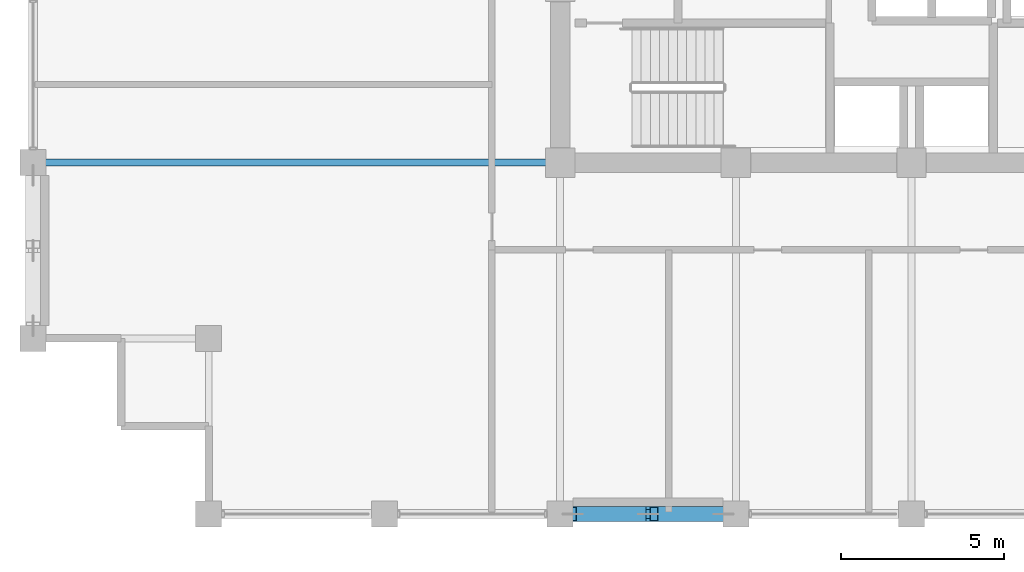
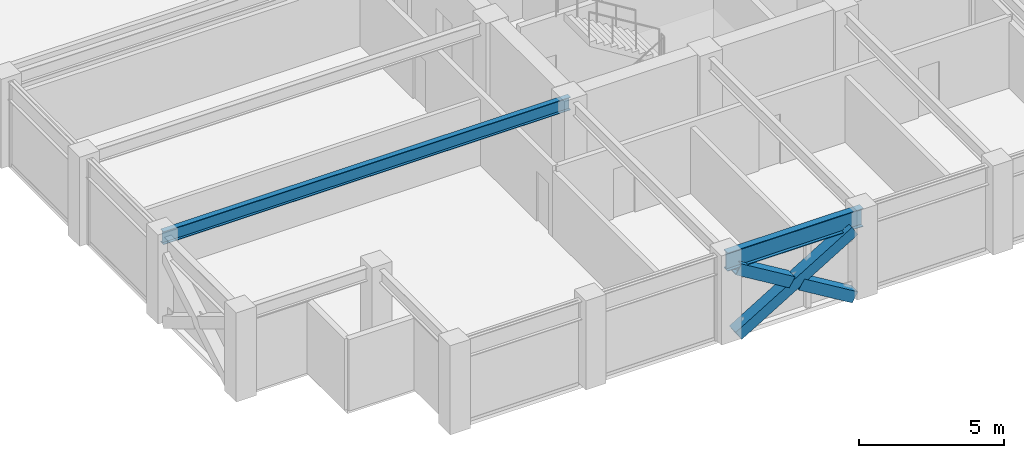
# One storey, part 5 of 32: 3 members, 2 beams.
"""IFC4 building model written with IfcOpenShell, lengths in metres."""

from ifc_helpers import new_model, si_unit, direction, frame, origin, origin_2d, place, context, subcontext, project, spatial, hollow_rectangle, i_section, extrude, material, material_profile, profile_set, type_object, element, save


model = new_model("IFC4")

# Units and contexts
model_context = context("Model", 3, precision=1e-05, world=origin(), true_north=direction((0.0, 1.0)))
body_context = subcontext(model_context, "Body", "Model", "MODEL_VIEW")
ifc_project = project(units=[si_unit("LENGTHUNIT", "METRE"), si_unit("AREAUNIT", "SQUARE_METRE"), si_unit("VOLUMEUNIT", "CUBIC_METRE"), si_unit("PLANEANGLEUNIT", "RADIAN"), si_unit("MASSUNIT", "GRAM", prefix="KILO")], contexts=[model_context])

# Site, building, storey
site_placement = place(None, origin())
site = spatial("IfcSite", under=ifc_project, at=site_placement, CompositionType="ELEMENT")
building_placement = place(site_placement, origin())
building = spatial("IfcBuilding", under=site, at=building_placement, Name="Surkhivell Harbour Commons", CompositionType="ELEMENT")
storey_placement = place(building_placement, frame((0.0, 0.0, 219.75)))
storey = spatial("IfcBuildingStorey", under=building, at=storey_placement, Name="L57", CompositionType="ELEMENT", Elevation=219.75)

# Beams
ifc_material_1 = material(Name="Steel S355", Category="steel")
ifc_material_profile_1 = material_profile(ifc_material_1, i_section(OverallWidth=0.2119140625, OverallDepth=0.5439453125, WebThickness=0.0126953125, FlangeThickness=0.021240234375, at=origin_2d()), Name="UB533x210x122")
ifc_profile_set_1 = profile_set([ifc_material_profile_1], Name="Steel S355")
beam_type_1 = type_object("IfcBeamType", Name="BM-GRD-533A", PredefinedType="BEAM", material=ifc_profile_set_1)
beam_1_placement = place(storey_placement, frame((-27.0, -10.800048828125, 3.298095703125), z_axis=(1.0, 0.0, 0.0), x_axis=(0.0, 1.0, 0.0)))
element("IfcBeam", 1, at=beam_1_placement, inside=storey, type_object=beam_type_1, Name="L57 Floor Girder (-27.0,-10.8)", PredefinedType="BEAM", context=body_context, shape_type="SweptSolid", body=[
    extrude(i_section(OverallWidth=0.2119140625, OverallDepth=0.5439453125, WebThickness=0.0126953125, FlangeThickness=0.021240234375, at=origin_2d()), origin(), (0.0, 0.0, 1.0), 16.199951171875),
])
ifc_material_profile_2 = material_profile(ifc_material_1, i_section(OverallWidth=0.26806640625, OverallDepth=0.77001953125, WebThickness=0.015625, FlangeThickness=0.025390625, at=origin_2d()), Name="UB762x267x197")
ifc_profile_set_2 = profile_set([ifc_material_profile_2], Name="Steel S355")
beam_type_2 = type_object("IfcBeamType", Name="BM-SPN-762", PredefinedType="SPANDREL", material=ifc_profile_set_2)
beam_2_placement = place(storey_placement, frame((-10.800048828125, -21.60009765625, 3.18505859375), z_axis=(1.0, 0.0, 0.0), x_axis=(0.0, 1.0, 0.0)))
element("IfcBeam", 2, at=beam_2_placement, inside=storey, type_object=beam_type_2, Name="L57 Tube Spandrel (-10.8,-21.6)", PredefinedType="SPANDREL", context=body_context, shape_type="SweptSolid", body=[
    extrude(i_section(OverallWidth=0.26806640625, OverallDepth=0.77001953125, WebThickness=0.015625, FlangeThickness=0.025390625, at=origin_2d()), origin(), (0.0, 0.0, 1.0), 5.400146484375),
])

# Members
ifc_material_2 = material(Name="Steel S460", Category="steel")
ifc_material_profile_3 = material_profile(ifc_material_2, hollow_rectangle(XDim=0.449951171875, YDim=0.449951171875, WallThickness=0.02197265625, at=origin_2d()), Name="SHS450x450x22")
ifc_profile_set_3 = profile_set([ifc_material_profile_3], Name="Steel S460")
member_type = type_object("IfcMemberType", Name="MEM-BRC-SHS450", PredefinedType="BRACE", material=ifc_profile_set_3)
member_1_placement = place(storey_placement, frame((-10.4150390625, -21.60009765625, 0.008056640625), z_axis=(0.856035804566, 0.0, 0.516916532238), x_axis=(0.0, 1.0, 0.0)))
element("IfcMember", 3, at=member_1_placement, inside=storey, type_object=member_type, Name="L57 Perimeter Mega-Brace MB- 07", PredefinedType="BRACE", context=body_context, shape_type="SweptSolid", body=[
    extrude(hollow_rectangle(XDim=0.449951171875, YDim=0.449951171875, WallThickness=0.02197265625, at=origin_2d()), origin(), (0.0, 0.0, 1.0), 5.40869140625),
])
member_2_placement = place(storey_placement, frame((-5.784912109375, -21.60009765625, 0.008056640625), z_axis=(-0.856061168755, 0.0, 0.516874525731), x_axis=(0.0, -1.0, 0.0)))
element("IfcMember", 4, at=member_2_placement, inside=storey, type_object=member_type, Name="L57 Perimeter Mega-Brace MB- 08", PredefinedType="BRACE", context=body_context, shape_type="SweptSolid", body=[
    extrude(hollow_rectangle(XDim=0.449951171875, YDim=0.449951171875, WallThickness=0.02197265625, at=origin_2d()), origin(), (0.0, 0.0, 1.0), 2.48828125),
])
member_3_placement = place(storey_placement, frame((-8.284912109375, -21.60009765625, 1.517578125), z_axis=(-0.856017753989, 0.0, 0.516946423584), x_axis=(0.0, -1.0, 0.0)))
element("IfcMember", 5, at=member_3_placement, inside=storey, type_object=member_type, Name="L57 Perimeter Mega-Brace MB- 09", PredefinedType="BRACE", context=body_context, shape_type="SweptSolid", body=[
    extrude(hollow_rectangle(XDim=0.449951171875, YDim=0.449951171875, WallThickness=0.02197265625, at=origin_2d()), origin(), (0.0, 0.0, 1.0), 2.488525390625),
])

save(model, "model.ifc")
